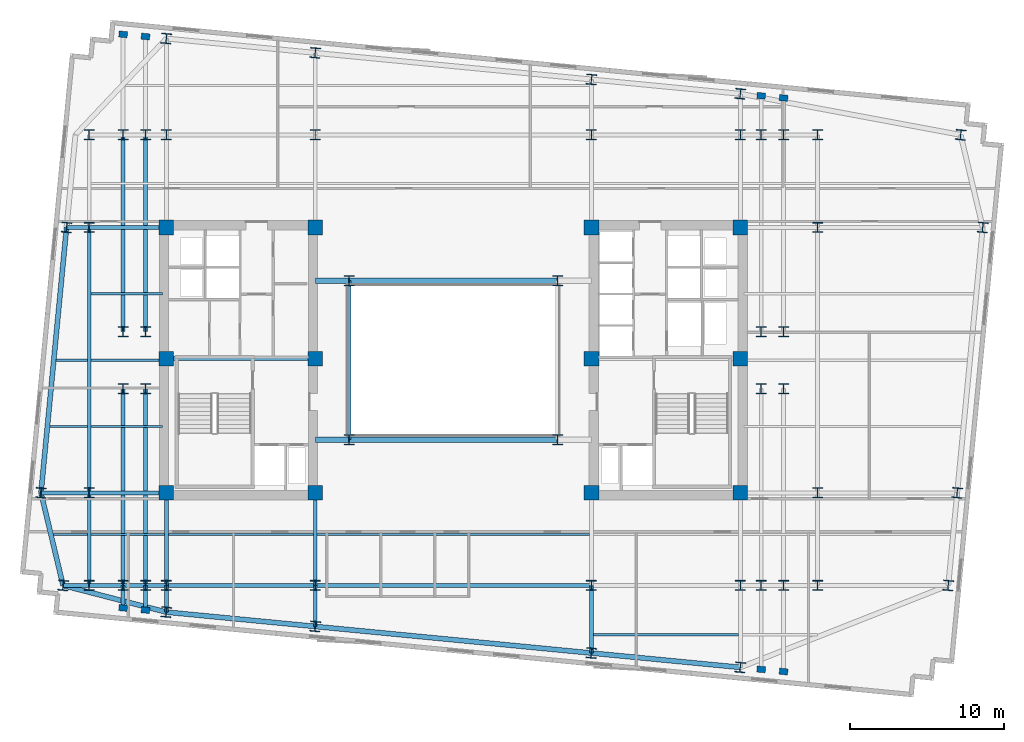
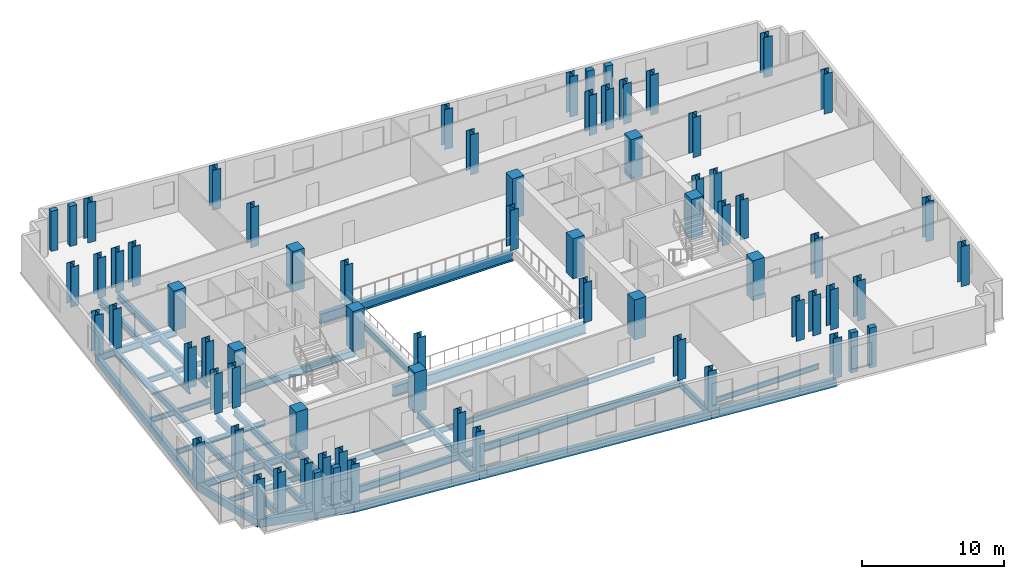
# One storey, part 1 of 9: 71 columns, 43 beams.
"""IFC4 building model written with IfcOpenShell, lengths in metres."""

from ifc_helpers import new_model, si_unit, direction, frame, origin, origin_2d, place, context, subcontext, project, spatial, rectangle, i_section, extrude, material, material_profile, profile_set, type_object, element, save


model = new_model("IFC4")

# Units and contexts
model_context = context("Model", 3, precision=1e-05, world=origin(), true_north=direction((0.0, 1.0)))
body_context = subcontext(model_context, "Body", "Model", "MODEL_VIEW")
ifc_project = project(units=[si_unit("LENGTHUNIT", "METRE"), si_unit("AREAUNIT", "SQUARE_METRE"), si_unit("VOLUMEUNIT", "CUBIC_METRE"), si_unit("PLANEANGLEUNIT", "RADIAN"), si_unit("MASSUNIT", "GRAM", prefix="KILO")], contexts=[model_context])

# Site, building, storey
site_placement = place(None, origin())
site = spatial("IfcSite", under=ifc_project, at=site_placement, CompositionType="ELEMENT")
building_placement = place(site_placement, origin())
building = spatial("IfcBuilding", under=site, at=building_placement, Name="Velakula Bourse", CompositionType="ELEMENT")
storey_placement = place(building_placement, frame((0.0, 0.0, 184.550048828125)))
storey = spatial("IfcBuildingStorey", under=building, at=storey_placement, Name="L50", CompositionType="ELEMENT", Elevation=184.550048828125)

# Columns
ifc_material_1 = material(Name="Concrete M70 (fck 70 MPa)", Category="concrete")
ifc_material_profile_1 = material_profile(ifc_material_1, rectangle(XDim=0.949951171875, YDim=0.949951171875, at=origin_2d()), Name="Concrete M70 (fck 70 MPa)")
ifc_profile_set_1 = profile_set([ifc_material_profile_1], Name="Concrete M70 (fck 70 MPa)")
column_type_1 = type_object("IfcColumnType", Name="COL-RC-950", PredefinedType="COLUMN", material=ifc_profile_set_1)
for number, where, z_axis, x_axis, name in (
    (1, (-8.949951171875, -8.60009765625, 0.0), (0.0, 0.0, 1.0), (1.0, 0.0, 0.0), "L50 Core Boundary Column 01"),
    (2, (-8.949951171875, 0.10009765625, 0.0), (0.0, 0.0, 1.0), (1.0, 0.0, 0.0), "L50 Core Boundary Column 02"),
    (3, (-8.949951171875, 8.60009765625, 0.0), (0.0, 0.0, 1.0), (1.0, 0.0, 0.0), "L50 Core Boundary Column 03"),
    (4, (-18.60009765625, -8.60009765625, 0.0), (0.0, 0.0, 1.0), (1.0, 0.0, 0.0), "L50 Core Boundary Column 04"),
    (5, (-18.60009765625, 0.10009765625, 0.0), (0.0, 0.0, 1.0), (1.0, 0.0, 0.0), "L50 Core Boundary Column 05"),
    (6, (-18.60009765625, 8.60009765625, 0.0), (0.0, 0.0, 1.0), (1.0, 0.0, 0.0), "L50 Core Boundary Column 06"),
    (7, (8.949951171875, -8.60009765625, 0.0), (0.0, 0.0, 1.0), (1.0, 0.0, 0.0), "L50 Core Boundary Column 07"),
    (8, (8.949951171875, 0.10009765625, 0.0), (0.0, 0.0, 1.0), (1.0, 0.0, 0.0), "L50 Core Boundary Column 08"),
    (9, (8.949951171875, 8.60009765625, 0.0), (0.0, 0.0, 1.0), (1.0, 0.0, 0.0), "L50 Core Boundary Column 09"),
    (10, (18.60009765625, -8.60009765625, 0.0), (0.0, 0.0, 1.0), (1.0, 0.0, 0.0), "L50 Core Boundary Column 10"),
    (11, (18.60009765625, 0.10009765625, 0.0), (0.0, 0.0, 1.0), (1.0, 0.0, 0.0), "L50 Core Boundary Column 11"),
    (12, (18.60009765625, 8.60009765625, 0.0), (0.0, 0.0, 1.0), (1.0, 0.0, 0.0), "L50 Core Boundary Column 12"),
):
    element("IfcColumn", number, at=place(storey_placement, frame(where, z_axis=z_axis, x_axis=x_axis)), inside=storey, type_object=column_type_1, Name=name, PredefinedType="COLUMN", context=body_context, shape_type="SweptSolid", body=[
        extrude(rectangle(XDim=0.949951171875, YDim=0.949951171875, at=origin_2d()), origin(), (0.0, 0.0, 1.0), 3.449951171875),
    ])
ifc_material_2 = material(Name="Steel IS 2062 Grade 350 (E350)", Category="steel")
ifc_material_profile_2 = material_profile(ifc_material_2, i_section(OverallWidth=0.64990234375, OverallDepth=0.64990234375, WebThickness=0.028076171875, FlangeThickness=0.0400390625, at=origin_2d()), Name="Steel IS 2062 Grade 350 (E350)")
ifc_profile_set_2 = profile_set([ifc_material_profile_2], Name="Steel IS 2062 Grade 350 (E350)")
column_type_2 = type_object("IfcColumnType", Name="COL-STL-650", PredefinedType="COLUMN", material=ifc_profile_set_2)
for number, where, z_axis, x_axis, name in (
    (13, (-6.75, -5.14990234375, 0.0), (0.0, 0.0, 1.0), (1.0, 0.0, 0.0), "L50 Central Spine Column 01"),
    (14, (-6.75, 5.14990234375, 0.0), (0.0, 0.0, 1.0), (1.0, 0.0, 0.0), "L50 Central Spine Column 02"),
    (15, (6.75, -5.14990234375, 0.0), (0.0, 0.0, 1.0), (1.0, 0.0, 0.0), "L50 Central Spine Column 03"),
    (16, (6.75, 5.14990234375, 0.0), (0.0, 0.0, 1.0), (1.0, 0.0, 0.0), "L50 Central Spine Column 04"),
    (17, (-21.39990234375, -14.60009765625, 0.0), (0.0, 0.0, 1.0), (1.0, 0.0, 0.0), "L50 Tower Fulcrum Column 01"),
    (18, (-21.39990234375, 14.60009765625, 0.0), (0.0, 0.0, 1.0), (1.0, 0.0, 0.0), "L50 Tower Fulcrum Column 02"),
    (19, (-19.949951171875, -14.60009765625, 0.0), (0.0, 0.0, 1.0), (1.0, 0.0, 0.0), "L50 Tower Fulcrum Column 03"),
    (20, (-19.949951171875, 14.60009765625, 0.0), (0.0, 0.0, 1.0), (1.0, 0.0, 0.0), "L50 Tower Fulcrum Column 04"),
    (21, (-18.60009765625, -14.60009765625, 0.0), (0.0, 0.0, 1.0), (1.0, 0.0, 0.0), "L50 Tower Fulcrum Column 05"),
    (22, (-18.60009765625, 14.60009765625, 0.0), (0.0, 0.0, 1.0), (1.0, 0.0, 0.0), "L50 Tower Fulcrum Column 06"),
    (23, (-8.949951171875, -14.60009765625, 0.0), (0.0, 0.0, 1.0), (1.0, 0.0, 0.0), "L50 Tower Fulcrum Column 07"),
    (24, (-8.949951171875, 14.60009765625, 0.0), (0.0, 0.0, 1.0), (1.0, 0.0, 0.0), "L50 Tower Fulcrum Column 08"),
    (25, (8.949951171875, -14.60009765625, 0.0), (0.0, 0.0, 1.0), (1.0, 0.0, 0.0), "L50 Tower Fulcrum Column 09"),
    (26, (8.949951171875, 14.60009765625, 0.0), (0.0, 0.0, 1.0), (1.0, 0.0, 0.0), "L50 Tower Fulcrum Column 10"),
    (27, (18.60009765625, -14.60009765625, 0.0), (0.0, 0.0, 1.0), (1.0, 0.0, 0.0), "L50 Tower Fulcrum Column 11"),
    (28, (18.60009765625, 14.60009765625, 0.0), (0.0, 0.0, 1.0), (1.0, 0.0, 0.0), "L50 Tower Fulcrum Column 12"),
    (29, (19.949951171875, -14.60009765625, 0.0), (0.0, 0.0, 1.0), (1.0, 0.0, 0.0), "L50 Tower Fulcrum Column 13"),
    (30, (19.949951171875, 14.60009765625, 0.0), (0.0, 0.0, 1.0), (1.0, 0.0, 0.0), "L50 Tower Fulcrum Column 14"),
    (31, (21.39990234375, -14.60009765625, 0.0), (0.0, 0.0, 1.0), (1.0, 0.0, 0.0), "L50 Tower Fulcrum Column 15"),
    (32, (21.39990234375, 14.60009765625, 0.0), (0.0, 0.0, 1.0), (1.0, 0.0, 0.0), "L50 Tower Fulcrum Column 16"),
    (33, (-21.39990234375, -1.85009765625, 0.0), (0.0, 0.0, 1.0), (1.0, 0.0, 0.0), "L50 Tower Fulcrum Column 17"),
    (34, (-21.39990234375, 1.85009765625, 0.0), (0.0, 0.0, 1.0), (1.0, 0.0, 0.0), "L50 Tower Fulcrum Column 18"),
    (35, (-19.949951171875, -1.85009765625, 0.0), (0.0, 0.0, 1.0), (1.0, 0.0, 0.0), "L50 Tower Fulcrum Column 19"),
    (36, (-19.949951171875, 1.85009765625, 0.0), (0.0, 0.0, 1.0), (1.0, 0.0, 0.0), "L50 Tower Fulcrum Column 20"),
    (37, (19.949951171875, -1.85009765625, 0.0), (0.0, 0.0, 1.0), (1.0, 0.0, 0.0), "L50 Tower Fulcrum Column 21"),
    (38, (19.949951171875, 1.85009765625, 0.0), (0.0, 0.0, 1.0), (1.0, 0.0, 0.0), "L50 Tower Fulcrum Column 22"),
    (39, (21.39990234375, -1.85009765625, 0.0), (0.0, 0.0, 1.0), (1.0, 0.0, 0.0), "L50 Tower Fulcrum Column 23"),
    (40, (21.39990234375, 1.85009765625, 0.0), (0.0, 0.0, 1.0), (1.0, 0.0, 0.0), "L50 Tower Fulcrum Column 24"),
    (41, (-23.60009765625, -14.60009765625, 0.0), (0.0, 0.0, 1.0), (1.0, 0.0, 0.0), "L50 Mid-Wing Plumb Column 01"),
    (42, (-23.60009765625, -8.60009765625, 0.0), (0.0, 0.0, 1.0), (1.0, 0.0, 0.0), "L50 Mid-Wing Plumb Column 02"),
    (43, (-23.60009765625, 8.60009765625, 0.0), (0.0, 0.0, 1.0), (1.0, 0.0, 0.0), "L50 Mid-Wing Plumb Column 03"),
    (44, (-23.60009765625, 14.60009765625, 0.0), (0.0, 0.0, 1.0), (1.0, 0.0, 0.0), "L50 Mid-Wing Plumb Column 04"),
    (45, (23.60009765625, -14.60009765625, 0.0), (0.0, 0.0, 1.0), (1.0, 0.0, 0.0), "L50 Mid-Wing Plumb Column 05"),
    (46, (23.60009765625, -8.60009765625, 0.0), (0.0, 0.0, 1.0), (1.0, 0.0, 0.0), "L50 Mid-Wing Plumb Column 06"),
    (47, (23.60009765625, 8.60009765625, 0.0), (0.0, 0.0, 1.0), (1.0, 0.0, 0.0), "L50 Mid-Wing Plumb Column 07"),
    (48, (23.60009765625, 14.60009765625, 0.0), (0.0, 0.0, 1.0), (1.0, 0.0, 0.0), "L50 Mid-Wing Plumb Column 08"),
    (49, (-18.60009765625, -16.32861328125, 0.0), (0.0, 0.0, 1.0), (0.995396198367, -0.09584575252, 0.0), "L50 Block B4 Perimeter Column S1"),
    (50, (-8.949951171875, -17.2578125, 0.0), (0.0, 0.0, 1.0), (0.995396198367, -0.09584575252, 0.0), "L50 Block B4 Perimeter Column S2"),
    (51, (8.949951171875, -18.9814453125, 0.0), (0.0, 0.0, 1.0), (0.995396198367, -0.09584575252, 0.0), "L50 Block B4 Perimeter Column S3"),
    (52, (18.60009765625, -19.91064453125, 0.0), (0.0, 0.0, 1.0), (0.995396198367, -0.09584575252, 0.0), "L50 Block B4 Perimeter Column S4"),
    (53, (-18.60009765625, 20.84228515625, 0.0), (0.0, 0.0, 1.0), (0.995396198367, -0.09584575252, 0.0), "L50 Block B4 Perimeter Column N1"),
    (54, (-8.949951171875, 19.9130859375, 0.0), (0.0, 0.0, 1.0), (0.995396198367, -0.09584575252, 0.0), "L50 Block B4 Perimeter Column N2"),
    (55, (8.949951171875, 18.189697265625, 0.0), (0.0, 0.0, 1.0), (0.995396198367, -0.09584575252, 0.0), "L50 Block B4 Perimeter Column N3"),
    (56, (18.60009765625, 17.260498046875, 0.0), (0.0, 0.0, 1.0), (0.995396198367, -0.09584575252, 0.0), "L50 Block B4 Perimeter Column N4"),
    (57, (-25.29296875, -14.60009765625, 0.0), (0.0, 0.0, 1.0), (0.995396198367, -0.09584575252, 0.0), "L50 Block B4 Perimeter Column W1"),
    (58, (-26.724365234375, -8.60009765625, 0.0), (0.0, 0.0, 1.0), (0.995396198367, -0.09584575252, 0.0), "L50 Block B4 Perimeter Column W2"),
    (59, (-25.068115234375, 8.60009765625, 0.0), (0.0, 0.0, 1.0), (0.995396198367, -0.09584575252, 0.0), "L50 Block B4 Perimeter Column W3"),
    (60, (32.0712890625, -14.60009765625, 0.0), (0.0, 0.0, 1.0), (0.995396198367, -0.09584575252, 0.0), "L50 Block B4 Perimeter Column E1"),
    (61, (32.64892578125, -8.60009765625, 0.0), (0.0, 0.0, 1.0), (0.995396198367, -0.09584575252, 0.0), "L50 Block B4 Perimeter Column E2"),
    (62, (34.30517578125, 8.60009765625, 0.0), (0.0, 0.0, 1.0), (0.995396198367, -0.09584575252, 0.0), "L50 Block B4 Perimeter Column E3"),
    (63, (32.87353515625, 14.60009765625, 0.0), (0.0, 0.0, 1.0), (0.995396198367, -0.09584575252, 0.0), "L50 Block B4 Perimeter Column E4"),
):
    element("IfcColumn", number, at=place(storey_placement, frame(where, z_axis=z_axis, x_axis=x_axis)), inside=storey, type_object=column_type_2, Name=name, PredefinedType="COLUMN", context=body_context, shape_type="SweptSolid", body=[
        extrude(i_section(OverallWidth=0.64990234375, OverallDepth=0.64990234375, WebThickness=0.028076171875, FlangeThickness=0.0400390625, at=origin_2d()), origin(), (0.0, 0.0, 1.0), 3.449951171875),
    ])
ifc_material_3 = material(Name="Precast concrete M45 (fck 45 MPa)", Category="concrete")
ifc_material_profile_3 = material_profile(ifc_material_3, rectangle(XDim=0.550048828125, YDim=0.39990234375, at=origin_2d()), Name="Precast concrete M45 (fck 45 MPa)")
ifc_profile_set_3 = profile_set([ifc_material_profile_3], Name="Precast concrete M45 (fck 45 MPa)")
column_type_3 = type_object("IfcColumnType", Name="PIL-BRICK-550", PredefinedType="PILASTER", material=ifc_profile_set_3)
for number, where, z_axis, x_axis, name in (
    (64, (-21.39990234375, -16.05908203125, 0.0), (0.0, 0.0, 1.0), (0.995396198367, -0.09584575252, 0.0), "L50 Brick Pier Pilaster 01"),
    (65, (-19.949951171875, -16.19873046875, 0.0), (0.0, 0.0, 1.0), (0.995396198367, -0.09584575252, 0.0), "L50 Brick Pier Pilaster 02"),
    (66, (19.949951171875, -20.04052734375, 0.0), (0.0, 0.0, 1.0), (0.995396198367, -0.09584575252, 0.0), "L50 Brick Pier Pilaster 03"),
    (67, (21.39990234375, -20.180419921875, 0.0), (0.0, 0.0, 1.0), (0.995396198367, -0.09584575252, 0.0), "L50 Brick Pier Pilaster 04"),
    (68, (-21.39990234375, 21.112060546875, 0.0), (0.0, 0.0, 1.0), (0.995396198367, -0.09584575252, 0.0), "L50 Brick Pier Pilaster 05"),
    (69, (-19.949951171875, 20.972412109375, 0.0), (0.0, 0.0, 1.0), (0.995396198367, -0.09584575252, 0.0), "L50 Brick Pier Pilaster 06"),
    (70, (19.949951171875, 17.130615234375, 0.0), (0.0, 0.0, 1.0), (0.995396198367, -0.09584575252, 0.0), "L50 Brick Pier Pilaster 07"),
    (71, (21.39990234375, 16.990966796875, 0.0), (0.0, 0.0, 1.0), (0.995396198367, -0.09584575252, 0.0), "L50 Brick Pier Pilaster 08"),
):
    element("IfcColumn", number, at=place(storey_placement, frame(where, z_axis=z_axis, x_axis=x_axis)), inside=storey, type_object=column_type_3, Name=name, PredefinedType="PILASTER", context=body_context, shape_type="SweptSolid", body=[
        extrude(rectangle(XDim=0.550048828125, YDim=0.39990234375, at=origin_2d()), origin(), (0.0, 0.0, 1.0), 3.449951171875),
    ])

# Beams
ifc_material_profile_4 = material_profile(ifc_material_2, i_section(OverallWidth=0.25, OverallDepth=0.60009765625, WebThickness=0.01123046875, FlangeThickness=0.021240234375, at=origin_2d()), Name="Steel IS 2062 Grade 350 (E350)")
ifc_profile_set_4 = profile_set([ifc_material_profile_4], Name="Steel IS 2062 Grade 350 (E350)")
beam_type_1 = type_object("IfcBeamType", Name="BM-GRD-600M", PredefinedType="BEAM", material=ifc_profile_set_4)
beam_1_placement = place(storey_placement, frame((-18.60009765625, 0.10009765625, -0.47998046875), z_axis=(1.0, 0.0, 0.0), x_axis=(0.0, 1.0, 0.0)))
element("IfcBeam", 72, at=beam_1_placement, inside=storey, type_object=beam_type_1, Name="L50 Primary Backbone Girder CRW-M", PredefinedType="BEAM", context=body_context, shape_type="SweptSolid", body=[
    extrude(i_section(OverallWidth=0.25, OverallDepth=0.60009765625, WebThickness=0.01123046875, FlangeThickness=0.021240234375, at=origin_2d()), origin(), (0.0, 0.0, 1.0), 9.650146484375),
])
beam_2_placement = place(storey_placement, frame((-6.75, -5.14990234375, -0.47998046875), z_axis=(0.0, 1.0, 0.0), x_axis=(-1.0, 0.0, 0.0)))
element("IfcBeam", 73, at=beam_2_placement, inside=storey, type_object=beam_type_1, Name="L50 Primary Backbone Girder SPN-W", PredefinedType="BEAM", context=body_context, shape_type="SweptSolid", body=[
    extrude(i_section(OverallWidth=0.25, OverallDepth=0.60009765625, WebThickness=0.01123046875, FlangeThickness=0.021240234375, at=origin_2d()), origin(), (0.0, 0.0, 1.0), 10.2998046875),
])
for number, where, z_axis, x_axis, name in (
    (74, (-18.60009765625, -14.60009765625, -0.47998046875), (0.0, 1.0, 0.0), (-1.0, 0.0, 0.0), "L50 Fulcrum Grid Girder FLC-WS"),
    (75, (-8.949951171875, -14.60009765625, -0.47998046875), (0.0, 1.0, 0.0), (-1.0, 0.0, 0.0), "L50 Fulcrum Grid Girder FLC-WCS"),
):
    element("IfcBeam", number, at=place(storey_placement, frame(where, z_axis=z_axis, x_axis=x_axis)), inside=storey, type_object=beam_type_1, Name=name, PredefinedType="BEAM", context=body_context, shape_type="SweptSolid", body=[
        extrude(i_section(OverallWidth=0.25, OverallDepth=0.60009765625, WebThickness=0.01123046875, FlangeThickness=0.021240234375, at=origin_2d()), origin(), (0.0, 0.0, 1.0), 6.0),
    ])
beam_3_placement = place(storey_placement, frame((-18.60009765625, -14.60009765625, -0.47998046875), z_axis=(1.0, 0.0, 0.0), x_axis=(0.0, 1.0, 0.0)))
element("IfcBeam", 76, at=beam_3_placement, inside=storey, type_object=beam_type_1, Name="L50 Fulcrum Grid Girder FLC-S1", PredefinedType="BEAM", context=body_context, shape_type="SweptSolid", body=[
    extrude(i_section(OverallWidth=0.25, OverallDepth=0.60009765625, WebThickness=0.01123046875, FlangeThickness=0.021240234375, at=origin_2d()), origin(), (0.0, 0.0, 1.0), 9.650146484375),
])
beam_4_placement = place(storey_placement, frame((-8.949951171875, -14.60009765625, -0.47998046875), z_axis=(1.0, 0.0, 0.0), x_axis=(0.0, 1.0, 0.0)))
element("IfcBeam", 77, at=beam_4_placement, inside=storey, type_object=beam_type_1, Name="L50 Fulcrum Grid Girder FLC-S2", PredefinedType="BEAM", context=body_context, shape_type="SweptSolid", body=[
    extrude(i_section(OverallWidth=0.25, OverallDepth=0.60009765625, WebThickness=0.01123046875, FlangeThickness=0.021240234375, at=origin_2d()), origin(), (0.0, 0.0, 1.0), 17.89990234375),
])
for number, where, z_axis, x_axis, name in (
    (78, (-21.39990234375, -14.60009765625, -0.47998046875), (0.0, 1.0, 0.0), (-1.0, 0.0, 0.0), "L50 Fulcrum Grid Girder FLC-PSW1"),
    (79, (-21.39990234375, 1.85009765625, -0.47998046875), (0.0, 1.0, 0.0), (-1.0, 0.0, 0.0), "L50 Fulcrum Grid Girder FLC-PNW1"),
    (80, (-19.949951171875, -14.60009765625, -0.47998046875), (0.0, 1.0, 0.0), (-1.0, 0.0, 0.0), "L50 Fulcrum Grid Girder FLC-PSW2"),
    (81, (-19.949951171875, 1.85009765625, -0.47998046875), (0.0, 1.0, 0.0), (-1.0, 0.0, 0.0), "L50 Fulcrum Grid Girder FLC-PNW2"),
):
    element("IfcBeam", number, at=place(storey_placement, frame(where, z_axis=z_axis, x_axis=x_axis)), inside=storey, type_object=beam_type_1, Name=name, PredefinedType="BEAM", context=body_context, shape_type="SweptSolid", body=[
        extrude(i_section(OverallWidth=0.25, OverallDepth=0.60009765625, WebThickness=0.01123046875, FlangeThickness=0.021240234375, at=origin_2d()), origin(), (0.0, 0.0, 1.0), 12.75),
    ])
for number, where, z_axis, x_axis, name in (
    (82, (-23.60009765625, -14.60009765625, -0.47998046875), (1.0, 0.0, 0.0), (0.0, 1.0, 0.0), "L50 Fulcrum Grid Girder MWG-WS1"),
    (83, (-23.60009765625, -8.60009765625, -0.47998046875), (1.0, 0.0, 0.0), (0.0, 1.0, 0.0), "L50 Fulcrum Grid Girder MWG-WS2"),
    (84, (-23.60009765625, 8.60009765625, -0.47998046875), (1.0, 0.0, 0.0), (0.0, 1.0, 0.0), "L50 Fulcrum Grid Girder MWG-WN1"),
):
    element("IfcBeam", number, at=place(storey_placement, frame(where, z_axis=z_axis, x_axis=x_axis)), inside=storey, type_object=beam_type_1, Name=name, PredefinedType="BEAM", context=body_context, shape_type="SweptSolid", body=[
        extrude(i_section(OverallWidth=0.25, OverallDepth=0.60009765625, WebThickness=0.01123046875, FlangeThickness=0.021240234375, at=origin_2d()), origin(), (0.0, 0.0, 1.0), 5.0),
    ])
beam_5_placement = place(storey_placement, frame((-23.60009765625, -14.60009765625, -0.47998046875), z_axis=(0.0, 1.0, 0.0), x_axis=(-1.0, 0.0, 0.0)))
element("IfcBeam", 85, at=beam_5_placement, inside=storey, type_object=beam_type_1, Name="L50 Fulcrum Grid Girder MWG-WNS1", PredefinedType="BEAM", context=body_context, shape_type="SweptSolid", body=[
    extrude(i_section(OverallWidth=0.25, OverallDepth=0.60009765625, WebThickness=0.01123046875, FlangeThickness=0.021240234375, at=origin_2d()), origin(), (0.0, 0.0, 1.0), 6.0),
])
beam_6_placement = place(storey_placement, frame((-23.60009765625, -8.60009765625, -0.47998046875), z_axis=(0.0, 1.0, 0.0), x_axis=(-1.0, 0.0, 0.0)))
element("IfcBeam", 86, at=beam_6_placement, inside=storey, type_object=beam_type_1, Name="L50 Fulcrum Grid Girder MWG-WNS2", PredefinedType="BEAM", context=body_context, shape_type="SweptSolid", body=[
    extrude(i_section(OverallWidth=0.25, OverallDepth=0.60009765625, WebThickness=0.01123046875, FlangeThickness=0.021240234375, at=origin_2d()), origin(), (0.0, 0.0, 1.0), 17.2001953125),
])
beam_7_placement = place(storey_placement, frame((-18.60009765625, -14.60009765625, -0.47998046875), z_axis=(0.0, -1.0, 0.0), x_axis=(1.0, 0.0, 0.0)))
element("IfcBeam", 87, at=beam_7_placement, inside=storey, type_object=beam_type_1, Name="L50 Perimeter Tie Girder S1", PredefinedType="BEAM", context=body_context, shape_type="SweptSolid", body=[
    extrude(i_section(OverallWidth=0.25, OverallDepth=0.60009765625, WebThickness=0.01123046875, FlangeThickness=0.021240234375, at=origin_2d()), origin(), (0.0, 0.0, 1.0), 1.728515625),
])
beam_8_placement = place(storey_placement, frame((-8.949951171875, -14.60009765625, -0.47998046875), z_axis=(0.0, -1.0, 0.0), x_axis=(1.0, 0.0, 0.0)))
element("IfcBeam", 88, at=beam_8_placement, inside=storey, type_object=beam_type_1, Name="L50 Perimeter Tie Girder S2", PredefinedType="BEAM", context=body_context, shape_type="SweptSolid", body=[
    extrude(i_section(OverallWidth=0.25, OverallDepth=0.60009765625, WebThickness=0.01123046875, FlangeThickness=0.021240234375, at=origin_2d()), origin(), (0.0, 0.0, 1.0), 2.65771484375),
])
beam_9_placement = place(storey_placement, frame((8.949951171875, -14.60009765625, -0.47998046875), z_axis=(0.0, -1.0, 0.0), x_axis=(1.0, 0.0, 0.0)))
element("IfcBeam", 89, at=beam_9_placement, inside=storey, type_object=beam_type_1, Name="L50 Perimeter Tie Girder S3", PredefinedType="BEAM", context=body_context, shape_type="SweptSolid", body=[
    extrude(i_section(OverallWidth=0.25, OverallDepth=0.60009765625, WebThickness=0.01123046875, FlangeThickness=0.021240234375, at=origin_2d()), origin(), (0.0, 0.0, 1.0), 4.38134765625),
])
beam_10_placement = place(storey_placement, frame((-23.60009765625, -14.60009765625, -0.47998046875), z_axis=(-1.0, 0.0, 0.0), x_axis=(0.0, -1.0, 0.0)))
element("IfcBeam", 90, at=beam_10_placement, inside=storey, type_object=beam_type_1, Name="L50 Perimeter Tie Girder W1", PredefinedType="BEAM", context=body_context, shape_type="SweptSolid", body=[
    extrude(i_section(OverallWidth=0.25, OverallDepth=0.60009765625, WebThickness=0.01123046875, FlangeThickness=0.021240234375, at=origin_2d()), origin(), (0.0, 0.0, 1.0), 1.69287109375),
])
beam_11_placement = place(storey_placement, frame((-23.60009765625, -8.60009765625, -0.47998046875), z_axis=(-1.0, 0.0, 0.0), x_axis=(0.0, -1.0, 0.0)))
element("IfcBeam", 91, at=beam_11_placement, inside=storey, type_object=beam_type_1, Name="L50 Perimeter Tie Girder W2", PredefinedType="BEAM", context=body_context, shape_type="SweptSolid", body=[
    extrude(i_section(OverallWidth=0.25, OverallDepth=0.60009765625, WebThickness=0.01123046875, FlangeThickness=0.021240234375, at=origin_2d()), origin(), (0.0, 0.0, 1.0), 3.124267578125),
])
beam_12_placement = place(storey_placement, frame((-23.60009765625, 8.60009765625, -0.47998046875), z_axis=(-1.0, 0.0, 0.0), x_axis=(0.0, -1.0, 0.0)))
element("IfcBeam", 92, at=beam_12_placement, inside=storey, type_object=beam_type_1, Name="L50 Perimeter Tie Girder W3", PredefinedType="BEAM", context=body_context, shape_type="SweptSolid", body=[
    extrude(i_section(OverallWidth=0.25, OverallDepth=0.60009765625, WebThickness=0.01123046875, FlangeThickness=0.021240234375, at=origin_2d()), origin(), (0.0, 0.0, 1.0), 1.468017578125),
])
beam_13_placement = place(storey_placement, frame((-21.39990234375, -14.60009765625, -0.47998046875), z_axis=(0.0, -1.0, 0.0), x_axis=(1.0, 0.0, 0.0)))
element("IfcBeam", 93, at=beam_13_placement, inside=storey, type_object=beam_type_1, Name="L50 Perimeter Tie Girder P01", PredefinedType="BEAM", context=body_context, shape_type="SweptSolid", body=[
    extrude(i_section(OverallWidth=0.25, OverallDepth=0.60009765625, WebThickness=0.01123046875, FlangeThickness=0.021240234375, at=origin_2d()), origin(), (0.0, 0.0, 1.0), 1.458984375),
])
beam_14_placement = place(storey_placement, frame((-19.949951171875, -14.60009765625, -0.47998046875), z_axis=(0.0, -1.0, 0.0), x_axis=(1.0, 0.0, 0.0)))
element("IfcBeam", 94, at=beam_14_placement, inside=storey, type_object=beam_type_1, Name="L50 Perimeter Tie Girder P02", PredefinedType="BEAM", context=body_context, shape_type="SweptSolid", body=[
    extrude(i_section(OverallWidth=0.25, OverallDepth=0.60009765625, WebThickness=0.01123046875, FlangeThickness=0.021240234375, at=origin_2d()), origin(), (0.0, 0.0, 1.0), 1.5986328125),
])
ifc_material_profile_5 = material_profile(ifc_material_2, i_section(OverallWidth=0.35009765625, OverallDepth=0.89990234375, WebThickness=0.02001953125, FlangeThickness=0.031982421875, at=origin_2d()), Name="Steel IS 2062 Grade 350 (E350)")
ifc_profile_set_5 = profile_set([ifc_material_profile_5], Name="Steel IS 2062 Grade 350 (E350)")
beam_type_2 = type_object("IfcBeamType", Name="BM-LNK-900", PredefinedType="BEAM", material=ifc_profile_set_5)
beam_15_placement = place(storey_placement, frame((-8.949951171875, -5.14990234375, -0.630126953125), z_axis=(1.0, 0.0, 0.0), x_axis=(0.0, 1.0, 0.0)))
element("IfcBeam", 95, at=beam_15_placement, inside=storey, type_object=beam_type_2, Name="L50 Primary Backbone Girder LNK-S1", PredefinedType="BEAM", context=body_context, shape_type="SweptSolid", body=[
    extrude(i_section(OverallWidth=0.35009765625, OverallDepth=0.89990234375, WebThickness=0.02001953125, FlangeThickness=0.031982421875, at=origin_2d()), origin(), (0.0, 0.0, 1.0), 2.199951171875),
])
beam_16_placement = place(storey_placement, frame((-6.75, -5.14990234375, -0.630126953125), z_axis=(1.0, 0.0, 0.0), x_axis=(0.0, 1.0, 0.0)))
element("IfcBeam", 96, at=beam_16_placement, inside=storey, type_object=beam_type_2, Name="L50 Primary Backbone Girder LNK-S2", PredefinedType="BEAM", context=body_context, shape_type="SweptSolid", body=[
    extrude(i_section(OverallWidth=0.35009765625, OverallDepth=0.89990234375, WebThickness=0.02001953125, FlangeThickness=0.031982421875, at=origin_2d()), origin(), (0.0, 0.0, 1.0), 13.5),
])
beam_17_placement = place(storey_placement, frame((-8.949951171875, 5.14990234375, -0.630126953125), z_axis=(1.0, 0.0, 0.0), x_axis=(0.0, 1.0, 0.0)))
element("IfcBeam", 97, at=beam_17_placement, inside=storey, type_object=beam_type_2, Name="L50 Primary Backbone Girder LNK-N1", PredefinedType="BEAM", context=body_context, shape_type="SweptSolid", body=[
    extrude(i_section(OverallWidth=0.35009765625, OverallDepth=0.89990234375, WebThickness=0.02001953125, FlangeThickness=0.031982421875, at=origin_2d()), origin(), (0.0, 0.0, 1.0), 2.199951171875),
])
beam_18_placement = place(storey_placement, frame((-6.75, 5.14990234375, -0.630126953125), z_axis=(1.0, 0.0, 0.0), x_axis=(0.0, 1.0, 0.0)))
element("IfcBeam", 98, at=beam_18_placement, inside=storey, type_object=beam_type_2, Name="L50 Primary Backbone Girder LNK-N2", PredefinedType="BEAM", context=body_context, shape_type="SweptSolid", body=[
    extrude(i_section(OverallWidth=0.35009765625, OverallDepth=0.89990234375, WebThickness=0.02001953125, FlangeThickness=0.031982421875, at=origin_2d()), origin(), (0.0, 0.0, 1.0), 13.5),
])
ifc_material_profile_6 = material_profile(ifc_material_2, i_section(OverallWidth=0.14990234375, OverallDepth=0.449951171875, WebThickness=0.009521484375, FlangeThickness=0.017333984375, at=origin_2d()), Name="Steel IS 2062 Grade 350 (E350)")
ifc_profile_set_6 = profile_set([ifc_material_profile_6], Name="Steel IS 2062 Grade 350 (E350)")
beam_type_3 = type_object("IfcBeamType", Name="JST-TWR-450", PredefinedType="JOIST", material=ifc_profile_set_6)
beam_19_placement = place(storey_placement, frame((9.074951171875, -17.800048828125, -0.405029296875), z_axis=(1.0, 0.0, 0.0), x_axis=(0.0, 1.0, 0.0)))
element("IfcBeam", 99, at=beam_19_placement, inside=storey, type_object=beam_type_3, Name="L50 Trading Floor Composite Joist 02", PredefinedType="JOIST", context=body_context, shape_type="SweptSolid", body=[
    extrude(i_section(OverallWidth=0.14990234375, OverallDepth=0.449951171875, WebThickness=0.009521484375, FlangeThickness=0.017333984375, at=origin_2d()), origin(), (0.0, 0.0, 1.0), 9.400146484375),
])
beam_20_placement = place(storey_placement, frame((-25.915771484375, -11.300048828125, -0.405029296875), z_axis=(1.0, 0.0, 0.0), x_axis=(0.0, 1.0, 0.0)))
element("IfcBeam", 100, at=beam_20_placement, inside=storey, type_object=beam_type_3, Name="L50 Trading Floor Composite Joist 04", PredefinedType="JOIST", context=body_context, shape_type="SweptSolid", body=[
    extrude(i_section(OverallWidth=0.14990234375, OverallDepth=0.449951171875, WebThickness=0.009521484375, FlangeThickness=0.017333984375, at=origin_2d()), origin(), (0.0, 0.0, 1.0), 2.190673828125),
])
beam_21_placement = place(storey_placement, frame((-23.47509765625, -11.300048828125, -0.405029296875), z_axis=(1.0, 0.0, 0.0), x_axis=(0.0, 1.0, 0.0)))
element("IfcBeam", 101, at=beam_21_placement, inside=storey, type_object=beam_type_3, Name="L50 Trading Floor Composite Joist 05", PredefinedType="JOIST", context=body_context, shape_type="SweptSolid", body=[
    extrude(i_section(OverallWidth=0.14990234375, OverallDepth=0.449951171875, WebThickness=0.009521484375, FlangeThickness=0.017333984375, at=origin_2d()), origin(), (0.0, 0.0, 1.0), 4.75),
])
beam_22_placement = place(storey_placement, frame((-18.47509765625, -11.300048828125, -0.405029296875), z_axis=(1.0, 0.0, 0.0), x_axis=(0.0, 1.0, 0.0)))
element("IfcBeam", 102, at=beam_22_placement, inside=storey, type_object=beam_type_3, Name="L50 Trading Floor Composite Joist 06", PredefinedType="JOIST", context=body_context, shape_type="SweptSolid", body=[
    extrude(i_section(OverallWidth=0.14990234375, OverallDepth=0.449951171875, WebThickness=0.009521484375, FlangeThickness=0.017333984375, at=origin_2d()), origin(), (0.0, 0.0, 1.0), 9.400146484375),
])
beam_23_placement = place(storey_placement, frame((-8.824951171875, -11.300048828125, -0.405029296875), z_axis=(1.0, 0.0, 0.0), x_axis=(0.0, 1.0, 0.0)))
element("IfcBeam", 103, at=beam_23_placement, inside=storey, type_object=beam_type_3, Name="L50 Trading Floor Composite Joist 07", PredefinedType="JOIST", context=body_context, shape_type="SweptSolid", body=[
    extrude(i_section(OverallWidth=0.14990234375, OverallDepth=0.449951171875, WebThickness=0.009521484375, FlangeThickness=0.017333984375, at=origin_2d()), origin(), (0.0, 0.0, 1.0), 17.64990234375),
])
beam_24_placement = place(storey_placement, frame((-26.149658203125, -4.300048828125, -0.405029296875), z_axis=(1.0, 0.0, 0.0), x_axis=(0.0, 1.0, 0.0)))
element("IfcBeam", 104, at=beam_24_placement, inside=storey, type_object=beam_type_3, Name="L50 Trading Floor Composite Joist 21", PredefinedType="JOIST", context=body_context, shape_type="SweptSolid", body=[
    extrude(i_section(OverallWidth=0.14990234375, OverallDepth=0.449951171875, WebThickness=0.009521484375, FlangeThickness=0.017333984375, at=origin_2d()), origin(), (0.0, 0.0, 1.0), 2.424560546875),
])
beam_25_placement = place(storey_placement, frame((-23.47509765625, -4.300048828125, -0.405029296875), z_axis=(1.0, 0.0, 0.0), x_axis=(0.0, 1.0, 0.0)))
element("IfcBeam", 105, at=beam_25_placement, inside=storey, type_object=beam_type_3, Name="L50 Trading Floor Composite Joist 22", PredefinedType="JOIST", context=body_context, shape_type="SweptSolid", body=[
    extrude(i_section(OverallWidth=0.14990234375, OverallDepth=0.449951171875, WebThickness=0.009521484375, FlangeThickness=0.017333984375, at=origin_2d()), origin(), (0.0, 0.0, 1.0), 4.625),
])
beam_26_placement = place(storey_placement, frame((-25.735595703125, 0.0, -0.405029296875), z_axis=(1.0, 0.0, 0.0), x_axis=(0.0, 1.0, 0.0)))
element("IfcBeam", 106, at=beam_26_placement, inside=storey, type_object=beam_type_3, Name="L50 Trading Floor Composite Joist 25", PredefinedType="JOIST", context=body_context, shape_type="SweptSolid", body=[
    extrude(i_section(OverallWidth=0.14990234375, OverallDepth=0.449951171875, WebThickness=0.009521484375, FlangeThickness=0.017333984375, at=origin_2d()), origin(), (0.0, 0.0, 1.0), 2.010498046875),
])
for number, where, z_axis, x_axis, name in (
    (107, (-23.47509765625, 0.0, -0.405029296875), (1.0, 0.0, 0.0), (0.0, 1.0, 0.0), "L50 Trading Floor Composite Joist 26"),
    (108, (-23.47509765625, 4.300048828125, -0.405029296875), (1.0, 0.0, 0.0), (0.0, 1.0, 0.0), "L50 Trading Floor Composite Joist 29"),
):
    element("IfcBeam", number, at=place(storey_placement, frame(where, z_axis=z_axis, x_axis=x_axis)), inside=storey, type_object=beam_type_3, Name=name, PredefinedType="JOIST", context=body_context, shape_type="SweptSolid", body=[
        extrude(i_section(OverallWidth=0.14990234375, OverallDepth=0.449951171875, WebThickness=0.009521484375, FlangeThickness=0.017333984375, at=origin_2d()), origin(), (0.0, 0.0, 1.0), 4.625),
    ])
ifc_material_profile_7 = material_profile(ifc_material_3, rectangle(XDim=0.320068359375, YDim=0.679931640625, at=origin_2d()), Name="Precast concrete M45 (fck 45 MPa)")
ifc_profile_set_7 = profile_set([ifc_material_profile_7], Name="Precast concrete M45 (fck 45 MPa)")
beam_type_4 = type_object("IfcBeamType", Name="SPN-BRICK-680", PredefinedType="SPANDREL", material=ifc_profile_set_7)
beam_27_placement = place(storey_placement, frame((-18.60009765625, -16.32861328125, -0.52001953125), z_axis=(0.99539623971, -0.095845323155, 0.0), x_axis=(0.095845323155, 0.99539623971, 0.0)))
element("IfcBeam", 109, at=beam_27_placement, inside=storey, type_object=beam_type_4, Name="L50 Brick-Faced Precast Spandrel S1-S2", PredefinedType="SPANDREL", context=body_context, shape_type="SweptSolid", body=[
    extrude(rectangle(XDim=0.320068359375, YDim=0.679931640625, at=origin_2d()), origin(), (0.0, 0.0, 1.0), 9.69482421875),
])
beam_28_placement = place(storey_placement, frame((-8.949951171875, -17.2578125, -0.52001953125), z_axis=(0.995395836254, -0.095849513134, 0.0), x_axis=(0.095849513134, 0.995395836254, 0.0)))
element("IfcBeam", 110, at=beam_28_placement, inside=storey, type_object=beam_type_4, Name="L50 Brick-Faced Precast Spandrel S2-S3", PredefinedType="SPANDREL", context=body_context, shape_type="SweptSolid", body=[
    extrude(rectangle(XDim=0.320068359375, YDim=0.679931640625, at=origin_2d()), origin(), (0.0, 0.0, 1.0), 17.982666015625),
])
beam_29_placement = place(storey_placement, frame((8.949951171875, -18.9814453125, -0.52001953125), z_axis=(0.99539623971, -0.095845323155, 0.0), x_axis=(0.095845323155, 0.99539623971, 0.0)))
element("IfcBeam", 111, at=beam_29_placement, inside=storey, type_object=beam_type_4, Name="L50 Brick-Faced Precast Spandrel S3-S4", PredefinedType="SPANDREL", context=body_context, shape_type="SweptSolid", body=[
    extrude(rectangle(XDim=0.320068359375, YDim=0.679931640625, at=origin_2d()), origin(), (0.0, 0.0, 1.0), 9.69482421875),
])
beam_30_placement = place(storey_placement, frame((-25.29296875, -14.60009765625, -0.52001953125), z_axis=(-0.232053924044, 0.97270292296, 0.0), x_axis=(-0.97270292296, -0.232053924044, 0.0)))
element("IfcBeam", 112, at=beam_30_placement, inside=storey, type_object=beam_type_4, Name="L50 Brick-Faced Precast Spandrel W1-W2", PredefinedType="SPANDREL", context=body_context, shape_type="SweptSolid", body=[
    extrude(rectangle(XDim=0.320068359375, YDim=0.679931640625, at=origin_2d()), origin(), (0.0, 0.0, 1.0), 6.16845703125),
])
beam_31_placement = place(storey_placement, frame((-26.724365234375, -8.60009765625, -0.52001953125), z_axis=(0.095849167925, 0.995395869495, 0.0), x_axis=(-0.995395869495, 0.095849167925, 0.0)))
element("IfcBeam", 113, at=beam_31_placement, inside=storey, type_object=beam_type_4, Name="L50 Brick-Faced Precast Spandrel W2-W3", PredefinedType="SPANDREL", context=body_context, shape_type="SweptSolid", body=[
    extrude(rectangle(XDim=0.320068359375, YDim=0.679931640625, at=origin_2d()), origin(), (0.0, 0.0, 1.0), 17.27978515625),
])
beam_32_placement = place(storey_placement, frame((-25.29296875, -14.60009765625, -0.52001953125), z_axis=(0.968230996313, -0.250057468954, 0.0), x_axis=(0.250057468954, 0.968230996313, 0.0)))
element("IfcBeam", 114, at=beam_32_placement, inside=storey, type_object=beam_type_4, Name="L50 Brick-Faced Precast Spandrel W1-S1", PredefinedType="SPANDREL", context=body_context, shape_type="SweptSolid", body=[
    extrude(rectangle(XDim=0.320068359375, YDim=0.679931640625, at=origin_2d()), origin(), (0.0, 0.0, 1.0), 6.912353515625),
])

save(model, "model.ifc")
